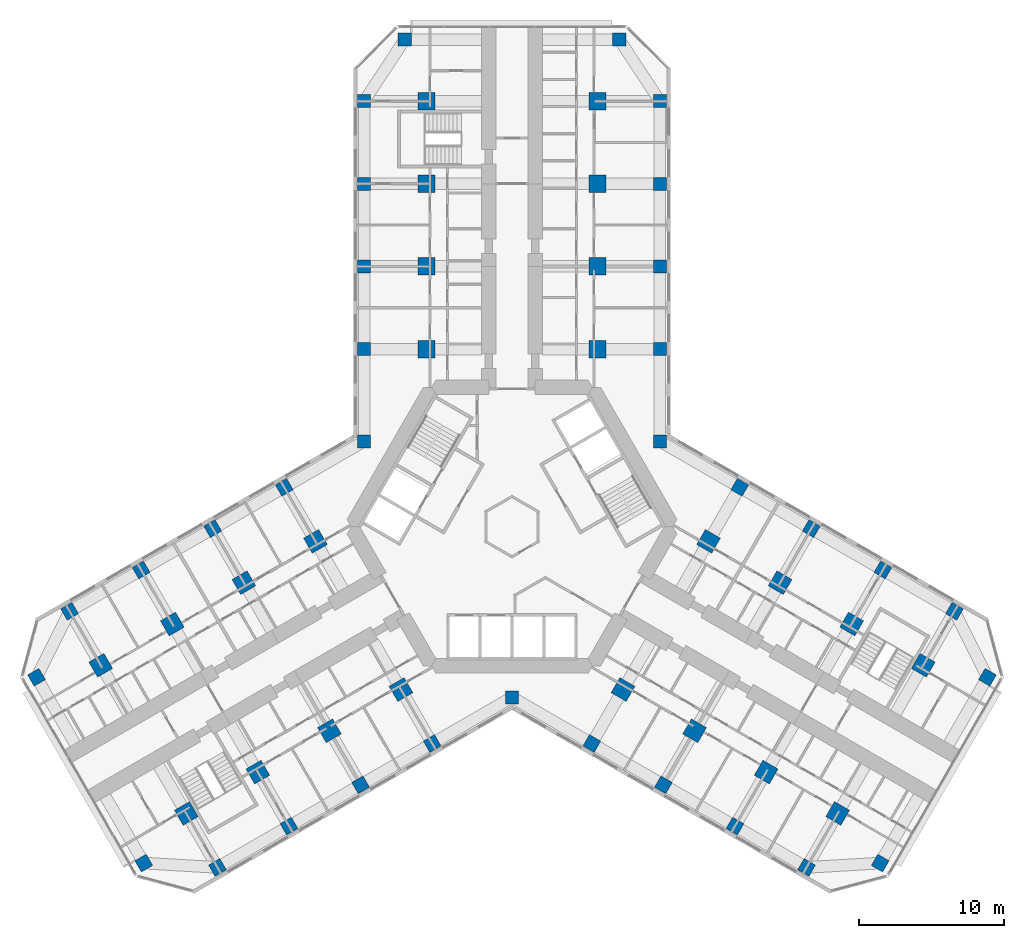
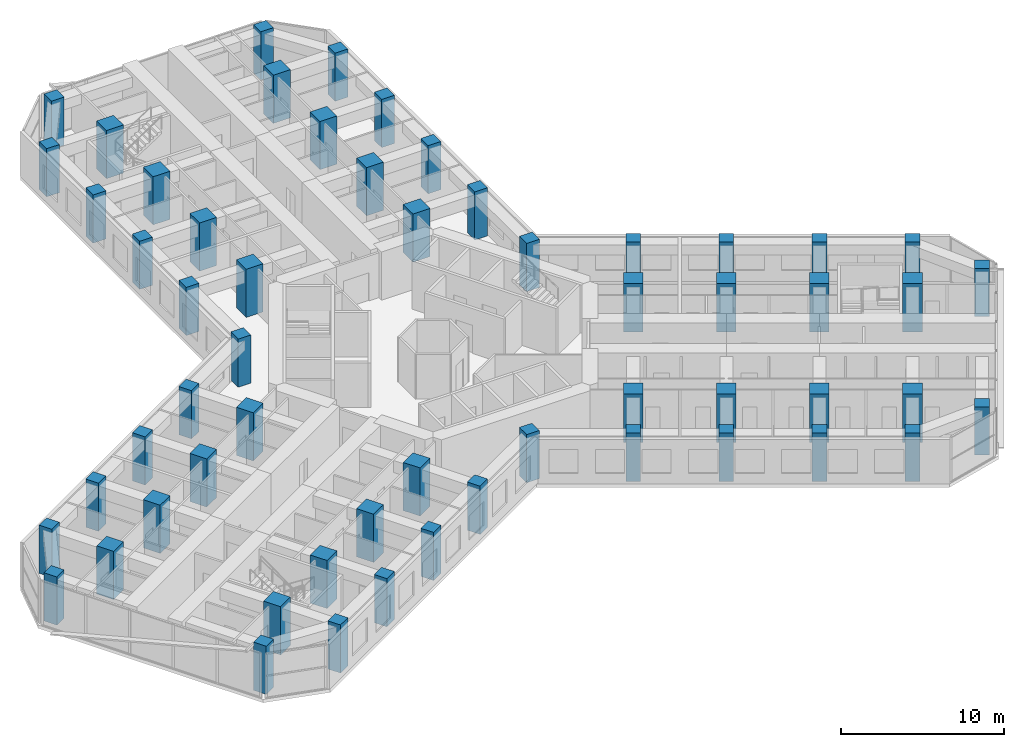
# One storey, part 1 of 22: 57 columns.
"""IFC4 building model written with IfcOpenShell, lengths in metres."""

from ifc_helpers import new_model, si_unit, direction, frame, origin, origin_2d, place, context, subcontext, project, spatial, rectangle, extrude, material, material_profile, profile_set, type_object, element, save


model = new_model("IFC4")

# Units and contexts
model_context = context("Model", 3, precision=1e-05, world=origin(), true_north=direction((0.0, 1.0)))
body_context = subcontext(model_context, "Body", "Model", "MODEL_VIEW")
ifc_project = project(units=[si_unit("LENGTHUNIT", "METRE"), si_unit("AREAUNIT", "SQUARE_METRE"), si_unit("VOLUMEUNIT", "CUBIC_METRE"), si_unit("PLANEANGLEUNIT", "RADIAN"), si_unit("MASSUNIT", "GRAM", prefix="KILO")], contexts=[model_context])

# Site, building, storey
site_placement = place(None, origin())
site = spatial("IfcSite", under=ifc_project, at=site_placement, CompositionType="ELEMENT")
building_placement = place(site_placement, origin())
building = spatial("IfcBuilding", under=site, at=building_placement, Name="Kosmar Iwan School Tower", CompositionType="ELEMENT")
storey_placement = place(building_placement, frame((0.0, 0.0, 91.60009765625)))
storey = spatial("IfcBuildingStorey", under=building, at=storey_placement, Name="L22", CompositionType="ELEMENT", Elevation=91.60009765625)

# Columns
ifc_material_1 = material(Name="Concrete C50/60", Category="concrete")
ifc_material_profile_1 = material_profile(ifc_material_1, rectangle(XDim=0.89990234375, YDim=0.89990234375, at=origin_2d()), Name="RC 900x900 + HD 400x634")
ifc_profile_set_1 = profile_set([ifc_material_profile_1], Name="Concrete C50/60")
column_type_1 = type_object("IfcColumnType", Name="Composite column 900x900 HD 400x634", PredefinedType="COLUMN", material=ifc_profile_set_1)
for number, where, z_axis, x_axis, name in (
    (1, (-10.199951171875, 12.25, 0.0), (0.0, 0.0, 1.0), (0.0, 1.0, 0.0), "Column AL1 L22"),
    (2, (-10.199951171875, 17.949951171875, 0.0), (0.0, 0.0, 1.0), (0.0, 1.0, 0.0), "Column AL2 L22"),
    (3, (-10.199951171875, 23.64990234375, 0.0), (0.0, 0.0, 1.0), (0.0, 1.0, 0.0), "Column AL3 L22"),
    (4, (-10.199951171875, 29.35009765625, 0.0), (0.0, 0.0, 1.0), (0.0, 1.0, 0.0), "Column AL4 L22"),
    (5, (-7.39990234375, 33.60009765625, 0.0), (0.0, 0.0, 1.0), (0.0, 1.0, 0.0), "Column ALTIP L22"),
    (6, (10.199951171875, 12.25, 0.0), (0.0, 0.0, 1.0), (0.0, 1.0, 0.0), "Column AR1 L22"),
    (7, (10.199951171875, 17.949951171875, 0.0), (0.0, 0.0, 1.0), (0.0, 1.0, 0.0), "Column AR2 L22"),
    (8, (10.199951171875, 23.64990234375, 0.0), (0.0, 0.0, 1.0), (0.0, 1.0, 0.0), "Column AR3 L22"),
    (9, (10.199951171875, 29.35009765625, 0.0), (0.0, 0.0, 1.0), (0.0, 1.0, 0.0), "Column AR4 L22"),
    (10, (7.39990234375, 33.60009765625, 0.0), (0.0, 0.0, 1.0), (0.0, 1.0, 0.0), "Column ARTIP L22"),
    (11, (-5.5087890625, -14.95849609375, 0.0), (0.0, 0.0, 1.0), (-0.866025403784, -0.5, 0.0), "Column BL1 L22"),
    (12, (-10.445068359375, -17.808349609375, 0.0), (0.0, 0.0, 1.0), (-0.866025403784, -0.5, 0.0), "Column BL2 L22"),
    (13, (-15.381591796875, -20.658447265625, 0.0), (0.0, 0.0, 1.0), (-0.866025403784, -0.5, 0.0), "Column BL3 L22"),
    (14, (-20.31787109375, -23.508544921875, 0.0), (0.0, 0.0, 1.0), (-0.866025403784, -0.5, 0.0), "Column BL4 L22"),
    (15, (-25.3984375, -23.20849609375, 0.0), (0.0, 0.0, 1.0), (-0.866025403784, -0.5, 0.0), "Column BLTIP L22"),
    (16, (-15.708740234375, 2.70849609375, 0.0), (0.0, 0.0, 1.0), (-0.866025403784, -0.5, 0.0), "Column BR1 L22"),
    (17, (-20.645263671875, -0.1416015625, 0.0), (0.0, 0.0, 1.0), (-0.866025403784, -0.5, 0.0), "Column BR2 L22"),
    (18, (-25.58154296875, -2.991455078125, 0.0), (0.0, 0.0, 1.0), (-0.866025403784, -0.5, 0.0), "Column BR3 L22"),
    (19, (-30.517822265625, -5.841552734375, 0.0), (0.0, 0.0, 1.0), (-0.866025403784, -0.5, 0.0), "Column BR4 L22"),
    (20, (-32.79833984375, -10.391357421875, 0.0), (0.0, 0.0, 1.0), (-0.866025403784, -0.5, 0.0), "Column BRTIP L22"),
    (21, (15.708740234375, 2.70849609375, 0.0), (0.0, 0.0, 1.0), (0.866025403784, -0.5, 0.0), "Column CL1 L22"),
    (22, (20.645263671875, -0.1416015625, 0.0), (0.0, 0.0, 1.0), (0.866025403784, -0.5, 0.0), "Column CL2 L22"),
    (23, (25.58154296875, -2.991455078125, 0.0), (0.0, 0.0, 1.0), (0.866025403784, -0.5, 0.0), "Column CL3 L22"),
    (24, (30.517822265625, -5.841552734375, 0.0), (0.0, 0.0, 1.0), (0.866025403784, -0.5, 0.0), "Column CL4 L22"),
    (25, (32.79833984375, -10.391357421875, 0.0), (0.0, 0.0, 1.0), (0.866025403784, -0.5, 0.0), "Column CLTIP L22"),
    (26, (5.5087890625, -14.95849609375, 0.0), (0.0, 0.0, 1.0), (0.866025403784, -0.5, 0.0), "Column CR1 L22"),
    (27, (10.445068359375, -17.808349609375, 0.0), (0.0, 0.0, 1.0), (0.866025403784, -0.5, 0.0), "Column CR2 L22"),
    (28, (15.381591796875, -20.658447265625, 0.0), (0.0, 0.0, 1.0), (0.866025403784, -0.5, 0.0), "Column CR3 L22"),
    (29, (20.31787109375, -23.508544921875, 0.0), (0.0, 0.0, 1.0), (0.866025403784, -0.5, 0.0), "Column CR4 L22"),
    (30, (25.3984375, -23.20849609375, 0.0), (0.0, 0.0, 1.0), (0.866025403784, -0.5, 0.0), "Column CRTIP L22"),
    (31, (-10.199951171875, 5.888916015625, 0.0), (0.0, 0.0, 1.0), (1.0, 0.0, 0.0), "Column RAB L22"),
    (32, (10.199951171875, 5.888916015625, 0.0), (0.0, 0.0, 1.0), (1.0, 0.0, 0.0), "Column RAC L22"),
    (33, (0.0, -11.77783203125, 0.0), (0.0, 0.0, 1.0), (1.0, 0.0, 0.0), "Column RBC L22"),
):
    element("IfcColumn", number, at=place(storey_placement, frame(where, z_axis=z_axis, x_axis=x_axis)), inside=storey, type_object=column_type_1, Name=name, PredefinedType="COLUMN", context=body_context, shape_type="SweptSolid", body=[
        extrude(rectangle(XDim=0.89990234375, YDim=0.89990234375, at=origin_2d()), origin(), (0.0, 0.0, 1.0), 3.599853515625),
    ])
ifc_material_2 = material(Name="Concrete C50/60", Category="concrete")
ifc_material_profile_2 = material_profile(ifc_material_2, rectangle(XDim=1.199951171875, YDim=1.199951171875, at=origin_2d()), Name="RC 1200x1200")
ifc_profile_set_2 = profile_set([ifc_material_profile_2], Name="Concrete C50/60")
column_type_2 = type_object("IfcColumnType", Name="RC interior column 1200x1200", PredefinedType="COLUMN", material=ifc_profile_set_2)
for number, where, z_axis, x_axis, name in (
    (34, (-5.89990234375, 12.25, 0.0), (0.0, 0.0, 1.0), (0.0, 1.0, 0.0), "Interior column ALI1 L22"),
    (35, (-5.89990234375, 17.949951171875, 0.0), (0.0, 0.0, 1.0), (0.0, 1.0, 0.0), "Interior column ALI2 L22"),
    (36, (-5.89990234375, 23.64990234375, 0.0), (0.0, 0.0, 1.0), (0.0, 1.0, 0.0), "Interior column ALI3 L22"),
    (37, (-5.89990234375, 29.35009765625, 0.0), (0.0, 0.0, 1.0), (0.0, 1.0, 0.0), "Interior column ALI4 L22"),
    (38, (5.89990234375, 12.25, 0.0), (0.0, 0.0, 1.0), (0.0, 1.0, 0.0), "Interior column ARI1 L22"),
    (39, (5.89990234375, 17.949951171875, 0.0), (0.0, 0.0, 1.0), (0.0, 1.0, 0.0), "Interior column ARI2 L22"),
    (40, (5.89990234375, 23.64990234375, 0.0), (0.0, 0.0, 1.0), (0.0, 1.0, 0.0), "Interior column ARI3 L22"),
    (41, (5.89990234375, 29.35009765625, 0.0), (0.0, 0.0, 1.0), (0.0, 1.0, 0.0), "Interior column ARI4 L22"),
    (42, (-7.65869140625, -11.234619140625, 0.0), (0.0, 0.0, 1.0), (-0.866025403784, -0.5, 0.0), "Interior column BLI1 L22"),
    (43, (-12.59521484375, -14.08447265625, 0.0), (0.0, 0.0, 1.0), (-0.866025403784, -0.5, 0.0), "Interior column BLI2 L22"),
    (44, (-17.531494140625, -16.9345703125, 0.0), (0.0, 0.0, 1.0), (-0.866025403784, -0.5, 0.0), "Interior column BLI3 L22"),
    (45, (-22.4677734375, -19.78466796875, 0.0), (0.0, 0.0, 1.0), (-0.866025403784, -0.5, 0.0), "Interior column BLI4 L22"),
    (46, (-13.558837890625, -1.015380859375, 0.0), (0.0, 0.0, 1.0), (-0.866025403784, -0.5, 0.0), "Interior column BRI1 L22"),
    (47, (-18.4951171875, -3.865478515625, 0.0), (0.0, 0.0, 1.0), (-0.866025403784, -0.5, 0.0), "Interior column BRI2 L22"),
    (48, (-23.431396484375, -6.71533203125, 0.0), (0.0, 0.0, 1.0), (-0.866025403784, -0.5, 0.0), "Interior column BRI3 L22"),
    (49, (-28.367919921875, -9.5654296875, 0.0), (0.0, 0.0, 1.0), (-0.866025403784, -0.5, 0.0), "Interior column BRI4 L22"),
    (50, (13.558837890625, -1.015380859375, 0.0), (0.0, 0.0, 1.0), (0.866025403784, -0.5, 0.0), "Interior column CLI1 L22"),
    (51, (18.4951171875, -3.865478515625, 0.0), (0.0, 0.0, 1.0), (0.866025403784, -0.5, 0.0), "Interior column CLI2 L22"),
    (52, (23.431396484375, -6.71533203125, 0.0), (0.0, 0.0, 1.0), (0.866025403784, -0.5, 0.0), "Interior column CLI3 L22"),
    (53, (28.367919921875, -9.5654296875, 0.0), (0.0, 0.0, 1.0), (0.866025403784, -0.5, 0.0), "Interior column CLI4 L22"),
    (54, (7.65869140625, -11.234619140625, 0.0), (0.0, 0.0, 1.0), (0.866025403784, -0.5, 0.0), "Interior column CRI1 L22"),
    (55, (12.59521484375, -14.08447265625, 0.0), (0.0, 0.0, 1.0), (0.866025403784, -0.5, 0.0), "Interior column CRI2 L22"),
    (56, (17.531494140625, -16.9345703125, 0.0), (0.0, 0.0, 1.0), (0.866025403784, -0.5, 0.0), "Interior column CRI3 L22"),
    (57, (22.4677734375, -19.78466796875, 0.0), (0.0, 0.0, 1.0), (0.866025403784, -0.5, 0.0), "Interior column CRI4 L22"),
):
    element("IfcColumn", number, at=place(storey_placement, frame(where, z_axis=z_axis, x_axis=x_axis)), inside=storey, type_object=column_type_2, Name=name, PredefinedType="COLUMN", context=body_context, shape_type="SweptSolid", body=[
        extrude(rectangle(XDim=1.199951171875, YDim=1.199951171875, at=origin_2d()), origin(), (0.0, 0.0, 1.0), 3.599853515625),
    ])

save(model, "model.ifc")
